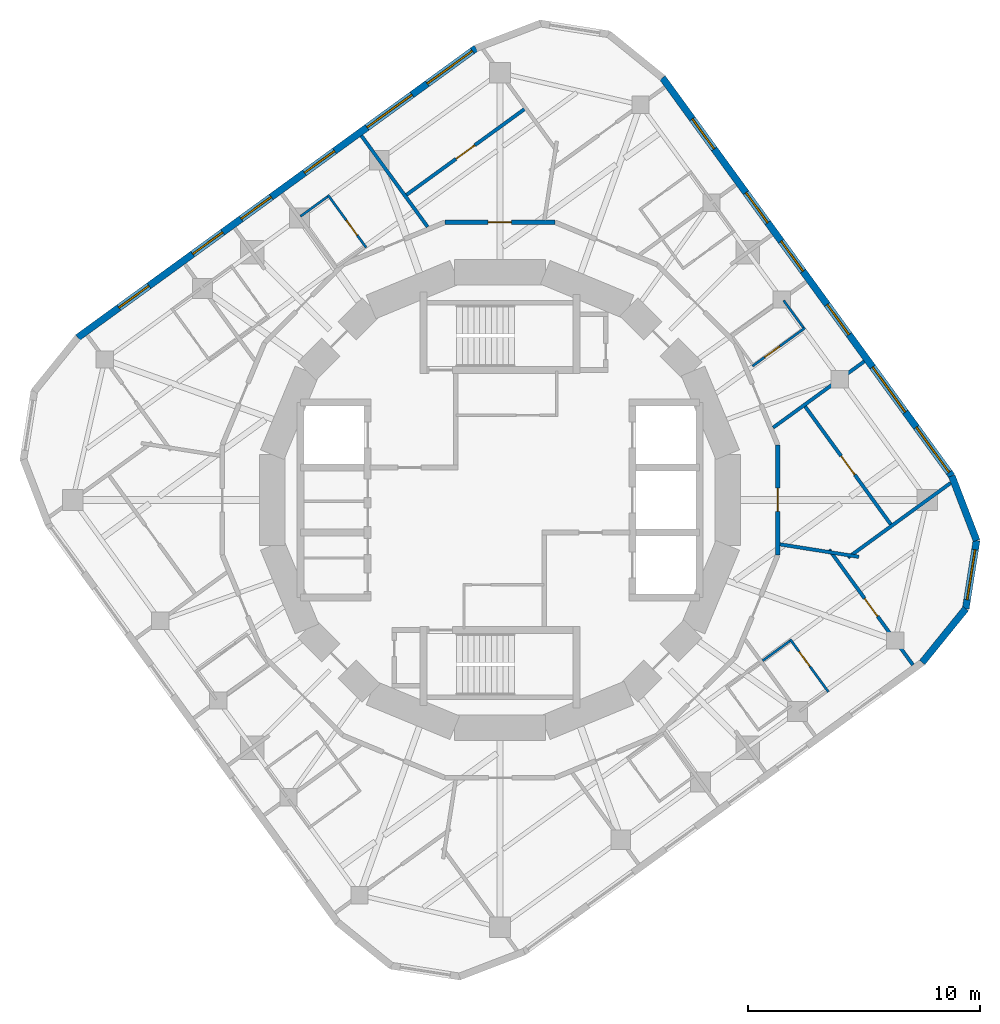
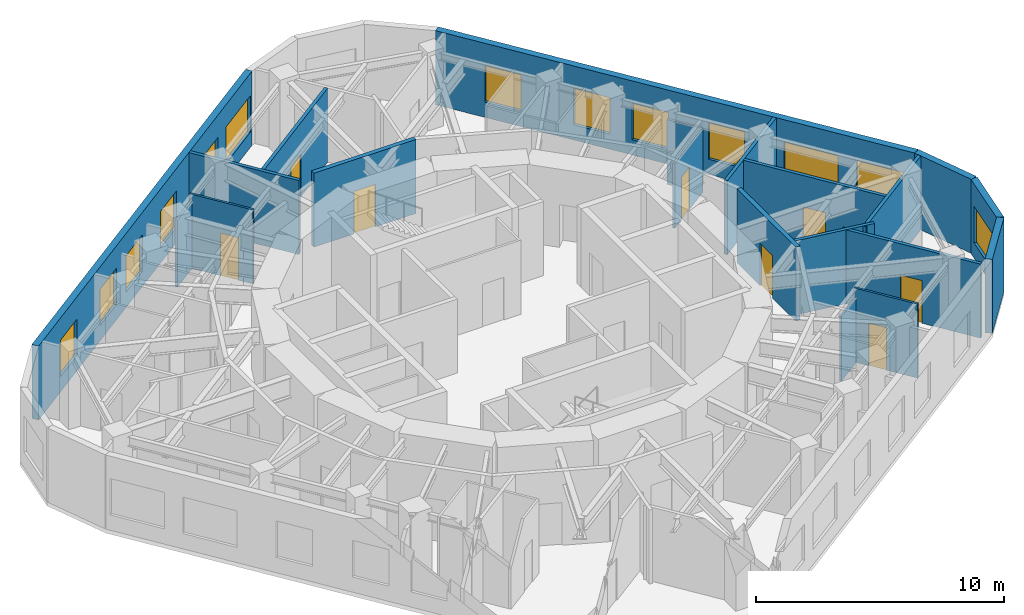
# One storey, part 7 of 9: 20 walls, 13 windows, 8 doors, 21 openings.
"""IFC4 building model written with IfcOpenShell, lengths in metres."""

from ifc_helpers import new_model, si_unit, direction, frame, frame_2d, origin, place, context, subcontext, project, spatial, rectangle, extrude, material, layer, layer_set, type_object, element, fill, save


model = new_model("IFC4")

# Units and contexts
model_context = context("Model", 3, precision=1e-05, world=origin(), true_north=direction((0.0, 1.0)))
body_context = subcontext(model_context, "Body", "Model", "MODEL_VIEW")
ifc_project = project(units=[si_unit("LENGTHUNIT", "METRE"), si_unit("AREAUNIT", "SQUARE_METRE"), si_unit("VOLUMEUNIT", "CUBIC_METRE"), si_unit("PLANEANGLEUNIT", "RADIAN"), si_unit("MASSUNIT", "GRAM", prefix="KILO")], contexts=[model_context])

# Site, building, storey
site_placement = place(None, origin())
site = spatial("IfcSite", under=ifc_project, at=site_placement, CompositionType="ELEMENT")
building_placement = place(site_placement, origin())
building = spatial("IfcBuilding", under=site, at=building_placement, Name="Nakasero Lantern House", CompositionType="ELEMENT")
storey_placement = place(building_placement, frame((0.0, 0.0, 290.699951171875)))
storey = spatial("IfcBuildingStorey", under=building, at=storey_placement, Name="L71", CompositionType="ELEMENT", Elevation=290.699951171875)

# Wall, opening, door
ifc_material_1 = material(Name="Blockwork", Category="masonry")
ifc_layer_1 = layer(ifc_material_1, 0.199951171875)
ifc_layer_set_1 = layer_set([ifc_layer_1], Name="Corridor wall 200")
wall_type_1 = type_object("IfcWallType", Name="Corridor wall 200", PredefinedType="PARTITIONING", material=ifc_layer_set_1)
wall_1_placement = place(storey_placement, frame((11.957763671875, 2.378662109375, 0.0), z_axis=(0.0, 0.0, 1.0), x_axis=(0.0, -1.0, 0.0)))
wall_1 = element("IfcWall", 1, at=wall_1_placement, inside=storey, type_object=wall_type_1, Name="Corridor wall L71 RC00a", PredefinedType="PARTITIONING", context=body_context, shape_type="SweptSolid", body=[
    extrude(rectangle(XDim=4.75732421875, YDim=0.199951171875, at=frame_2d((2.378662109375, 0.0))), origin(), (0.0, 0.0, 1.0), 3.650146484375),
])
opening_1_placement = place(wall_1_placement, frame((1.8701171875, 0.0, 0.0)))
opening_1 = element("IfcOpeningElement", 2, at=opening_1_placement, cuts=wall_1, Name="Opening D03", PredefinedType="OPENING", context=body_context, shape_type="SweptSolid", body=[
    extrude(rectangle(XDim=1.0, YDim=2.10009765625, at=frame_2d((0.5, 1.050048828125))), frame((0.0, 0.119873046875, 0.0), z_axis=(0.0, -1.0, 0.0), x_axis=(1.0, 0.0, 0.0)), (0.0, 0.0, 1.0), 0.239990234375),
])
ifc_material_2 = material(Name="Timber C24", Category="wood")
door_type_1 = type_object("IfcDoorType", Name="Lounge door FD30S 1000", OperationType="SINGLE_SWING_LEFT", PredefinedType="DOOR", material=ifc_material_2)
door_1_placement = place(opening_1_placement, origin())
door_1 = element("IfcDoor", 3, at=door_1_placement, inside=storey, type_object=door_type_1, Name="Door L71 DK0", OperationType="SINGLE_SWING_LEFT", OverallHeight=2.10009765625, OverallWidth=1.0, PredefinedType="DOOR", context=body_context, shape_type="SweptSolid", body=[
    extrude(rectangle(XDim=1.0, YDim=2.10009765625, at=frame_2d((0.5, 1.050048828125))), frame((0.0, 0.02490234375, 0.0), z_axis=(0.0, -1.0, 0.0), x_axis=(1.0, 0.0, 0.0)), (0.0, 0.0, 1.0), 0.050048828125),
])
fill(opening_1, door_1)

wall_2_placement = place(storey_placement, frame((-2.378662109375, 11.957763671875, 0.0), z_axis=(0.0, 0.0, 1.0), x_axis=(1.0, 0.0, 0.0)))
wall_2 = element("IfcWall", 4, at=wall_2_placement, inside=storey, type_object=wall_type_1, Name="Corridor wall L71 RC12a", PredefinedType="PARTITIONING", context=body_context, shape_type="SweptSolid", body=[
    extrude(rectangle(XDim=4.75732421875, YDim=0.199951171875, at=frame_2d((2.378662109375, 0.0))), origin(), (0.0, 0.0, 1.0), 3.650146484375),
])
opening_2_placement = place(wall_2_placement, frame((1.8701171875, 0.0, 0.0)))
opening_2 = element("IfcOpeningElement", 5, at=opening_2_placement, cuts=wall_2, Name="Opening D03", PredefinedType="OPENING", context=body_context, shape_type="SweptSolid", body=[
    extrude(rectangle(XDim=1.0, YDim=2.10009765625, at=frame_2d((0.5, 1.050048828125))), frame((0.0, 0.119873046875, 0.0), z_axis=(0.0, -1.0, 0.0), x_axis=(1.0, 0.0, 0.0)), (0.0, 0.0, 1.0), 0.239990234375),
])
door_2_placement = place(opening_2_placement, origin())
door_2 = element("IfcDoor", 6, at=door_2_placement, inside=storey, type_object=door_type_1, Name="Door L71 DK1", OperationType="SINGLE_SWING_LEFT", OverallHeight=2.10009765625, OverallWidth=1.0, PredefinedType="DOOR", context=body_context, shape_type="SweptSolid", body=[
    extrude(rectangle(XDim=1.0, YDim=2.10009765625, at=frame_2d((0.5, 1.050048828125))), frame((0.0, 0.02490234375, 0.0), z_axis=(0.0, -1.0, 0.0), x_axis=(1.0, 0.0, 0.0)), (0.0, 0.0, 1.0), 0.050048828125),
])
fill(opening_2, door_2)

ifc_material_3 = material(Name="Blockwork", Category="masonry")
ifc_layer_2 = layer(ifc_material_3, 0.10009765625)
ifc_layer_set_2 = layer_set([ifc_layer_2], Name="En-suite wall 100")
wall_type_2 = type_object("IfcWallType", Name="En-suite wall 100", PredefinedType="PARTITIONING", material=ifc_layer_set_2)
wall_3_placement = place(storey_placement, frame((10.872314453125, 5.76513671875, 0.0), z_axis=(0.0, 0.0, 1.0), x_axis=(0.809041377956, 0.587751689708, 0.0)))
wall_3 = element("IfcWall", 7, at=wall_3_placement, inside=storey, type_object=wall_type_2, Name="En-suite wall L71 ES0-03", PredefinedType="PARTITIONING", context=body_context, shape_type="SweptSolid", body=[
    extrude(rectangle(XDim=2.800048828125, YDim=0.10009765625, at=frame_2d((1.39990234375, 0.0))), origin(), (0.0, 0.0, 1.0), 3.18994140625),
])
opening_3_placement = place(wall_3_placement, frame((0.64990234375, 0.0, 0.0)))
opening_3 = element("IfcOpeningElement", 8, at=opening_3_placement, cuts=wall_3, Name="Opening D02", PredefinedType="OPENING", context=body_context, shape_type="SweptSolid", body=[
    extrude(rectangle(XDim=0.800048828125, YDim=2.10009765625, at=frame_2d((0.39990234375, 1.050048828125))), frame((0.0, 0.070068359375, 0.0), z_axis=(0.0, -1.0, 0.0), x_axis=(1.0, 0.0, 0.0)), (0.0, 0.0, 1.0), 0.14013671875),
])
ifc_material_4 = material(Name="Timber C24", Category="wood")
door_type_2 = type_object("IfcDoorType", Name="En-suite door 800", OperationType="SINGLE_SWING_RIGHT", PredefinedType="DOOR", material=ifc_material_4)
door_3_placement = place(opening_3_placement, origin())
door_3 = element("IfcDoor", 9, at=door_3_placement, inside=storey, type_object=door_type_2, Name="Door L71 DE0-03", OperationType="SINGLE_SWING_LEFT", OverallHeight=2.10009765625, OverallWidth=0.800048828125, PredefinedType="DOOR", context=body_context, shape_type="SweptSolid", body=[
    extrude(rectangle(XDim=0.800048828125, YDim=2.10009765625, at=frame_2d((0.39990234375, 1.050048828125))), frame((0.0, 0.02490234375, 0.0), z_axis=(0.0, -1.0, 0.0), x_axis=(1.0, 0.0, 0.0)), (0.0, 0.0, 1.0), 0.050048828125),
])
fill(opening_3, door_3)

# Wall
wall_4_placement = place(storey_placement, frame((13.06787109375, 7.421875, 0.0), z_axis=(0.0, 0.0, 1.0), x_axis=(-0.587781191743, 0.809019944521, 0.0)))
element("IfcWall", 10, at=wall_4_placement, inside=storey, type_object=wall_type_2, Name="En-suite wall L71 EE0-03", PredefinedType="PARTITIONING", context=body_context, shape_type="SweptSolid", body=[
    extrude(rectangle(XDim=1.449951171875, YDim=0.10009765625, at=frame_2d((0.72509765625, 0.0))), origin(), (0.0, 0.0, 1.0), 3.196533203125),
])

# Wall, opening, door
wall_5_placement = place(storey_placement, frame((-5.76513671875, 10.872314453125, 0.0), z_axis=(0.0, 0.0, 1.0), x_axis=(-0.587751689708, 0.809041377956, 0.0)))
wall_5 = element("IfcWall", 11, at=wall_5_placement, inside=storey, type_object=wall_type_2, Name="En-suite wall L71 ES1-03", PredefinedType="PARTITIONING", context=body_context, shape_type="SweptSolid", body=[
    extrude(rectangle(XDim=2.800048828125, YDim=0.10009765625, at=frame_2d((1.39990234375, 0.0))), origin(), (0.0, 0.0, 1.0), 3.650146484375),
])
opening_4_placement = place(wall_5_placement, frame((0.64990234375, 0.0, 0.0)))
opening_4 = element("IfcOpeningElement", 12, at=opening_4_placement, cuts=wall_5, Name="Opening D02", PredefinedType="OPENING", context=body_context, shape_type="SweptSolid", body=[
    extrude(rectangle(XDim=0.800048828125, YDim=2.10009765625, at=frame_2d((0.39990234375, 1.050048828125))), frame((0.0, 0.070068359375, 0.0), z_axis=(0.0, -1.0, 0.0), x_axis=(1.0, 0.0, 0.0)), (0.0, 0.0, 1.0), 0.14013671875),
])
door_4_placement = place(opening_4_placement, origin())
door_4 = element("IfcDoor", 13, at=door_4_placement, inside=storey, type_object=door_type_2, Name="Door L71 DE1-03", OperationType="SINGLE_SWING_LEFT", OverallHeight=2.10009765625, OverallWidth=0.800048828125, PredefinedType="DOOR", context=body_context, shape_type="SweptSolid", body=[
    extrude(rectangle(XDim=0.800048828125, YDim=2.10009765625, at=frame_2d((0.39990234375, 1.050048828125))), frame((0.0, 0.02490234375, 0.0), z_axis=(0.0, -1.0, 0.0), x_axis=(1.0, 0.0, 0.0)), (0.0, 0.0, 1.0), 0.050048828125),
])
fill(opening_4, door_4)

# Wall
wall_6_placement = place(storey_placement, frame((-7.421875, 13.06787109375, 0.0), z_axis=(0.0, 0.0, 1.0), x_axis=(-0.809019944521, -0.587781191743, 0.0)))
element("IfcWall", 14, at=wall_6_placement, inside=storey, type_object=wall_type_2, Name="En-suite wall L71 EE1-03", PredefinedType="PARTITIONING", context=body_context, shape_type="SweptSolid", body=[
    extrude(rectangle(XDim=1.449951171875, YDim=0.10009765625, at=frame_2d((0.72509765625, 0.0))), origin(), (0.0, 0.0, 1.0), 3.295166015625),
])

# Wall, opening, door
wall_7_placement = place(storey_placement, frame((12.498046875, -5.999755859375, 0.0), z_axis=(0.0, 0.0, 1.0), x_axis=(0.587793152327, -0.809011254605, 0.0)))
wall_7 = element("IfcWall", 15, at=wall_7_placement, inside=storey, type_object=wall_type_2, Name="En-suite wall L71 ES3-06", PredefinedType="PARTITIONING", context=body_context, shape_type="SweptSolid", body=[
    extrude(rectangle(XDim=2.7998046875, YDim=0.10009765625, at=frame_2d((1.39990234375, 0.0))), origin(), (0.0, 0.0, 1.0), 3.650146484375),
])
opening_5_placement = place(wall_7_placement, frame((0.64990234375, 0.0, 0.0)))
opening_5 = element("IfcOpeningElement", 16, at=opening_5_placement, cuts=wall_7, Name="Opening D02", PredefinedType="OPENING", context=body_context, shape_type="SweptSolid", body=[
    extrude(rectangle(XDim=0.800048828125, YDim=2.10009765625, at=frame_2d((0.39990234375, 1.050048828125))), frame((0.0, 0.070068359375, 0.0), z_axis=(0.0, -1.0, 0.0), x_axis=(1.0, 0.0, 0.0)), (0.0, 0.0, 1.0), 0.14013671875),
])
door_5_placement = place(opening_5_placement, origin())
door_5 = element("IfcDoor", 17, at=door_5_placement, inside=storey, type_object=door_type_2, Name="Door L71 DE3-06", OperationType="SINGLE_SWING_LEFT", OverallHeight=2.10009765625, OverallWidth=0.800048828125, PredefinedType="DOOR", context=body_context, shape_type="SweptSolid", body=[
    extrude(rectangle(XDim=0.800048828125, YDim=2.10009765625, at=frame_2d((0.39990234375, 1.050048828125))), frame((0.0, 0.02490234375, 0.0), z_axis=(0.0, -1.0, 0.0), x_axis=(1.0, 0.0, 0.0)), (0.0, 0.0, 1.0), 0.050048828125),
])
fill(opening_5, door_5)

# Wall
wall_8_placement = place(storey_placement, frame((11.313720703125, -6.921875, 0.0), z_axis=(0.0, 0.0, 1.0), x_axis=(0.809019944521, 0.587781191743, 0.0)))
element("IfcWall", 18, at=wall_8_placement, inside=storey, type_object=wall_type_2, Name="En-suite wall L71 EI3-06", PredefinedType="PARTITIONING", context=body_context, shape_type="SweptSolid", body=[
    extrude(rectangle(XDim=1.449951171875, YDim=0.10009765625, at=frame_2d((0.72509765625, 0.0))), origin(), (0.0, 0.0, 1.0), 3.18994140625),
])

# Wall, openings, windows
ifc_material_5 = material(Name="Aluminium rainscreen on blockwork", Category="masonry")
ifc_layer_3 = layer(ifc_material_5, 0.300048828125)
ifc_layer_set_3 = layer_set([ifc_layer_3], Name="Facade wall 300")
wall_type_3 = type_object("IfcWallType", Name="Facade wall 300", PredefinedType="SOLIDWALL", material=ifc_layer_set_3)
wall_9_placement = place(storey_placement, frame((19.4580078125, 1.03466796875, 0.0), z_axis=(0.0, 0.0, 1.0), x_axis=(-0.587790233451, 0.809013375328, 0.0)))
wall_9 = element("IfcWall", 19, at=wall_9_placement, inside=storey, type_object=wall_type_3, Name="Facade wall L71 FW0S", PredefinedType="SOLIDWALL", context=body_context, shape_type="SweptSolid", body=[
    extrude(rectangle(XDim=21.199951171875, YDim=0.300048828125, at=frame_2d((10.60009765625, 0.0))), origin(), (0.0, 0.0, 1.0), 3.650146484375),
])
opening_6_placement = place(wall_9_placement, frame((7.52783203125, 0.0, 0.75)))
opening_6 = element("IfcOpeningElement", 20, at=opening_6_placement, cuts=wall_9, Name="Opening W01", PredefinedType="OPENING", context=body_context, shape_type="SweptSolid", body=[
    extrude(rectangle(XDim=1.60009765625, YDim=1.800048828125, at=frame_2d((0.800048828125, 0.89990234375))), frame((0.0, 0.169921875, 0.0), z_axis=(0.0, -1.0, 0.0), x_axis=(1.0, 0.0, 0.0)), (0.0, 0.0, 1.0), 0.340087890625),
])
opening_7_placement = place(wall_9_placement, frame((10.904052734375, 0.0, 0.75)))
opening_7 = element("IfcOpeningElement", 21, at=opening_7_placement, cuts=wall_9, Name="Opening W01", PredefinedType="OPENING", context=body_context, shape_type="SweptSolid", body=[
    extrude(rectangle(XDim=1.60009765625, YDim=1.800048828125, at=frame_2d((0.800048828125, 0.89990234375))), frame((0.0, 0.169921875, 0.0), z_axis=(0.0, -1.0, 0.0), x_axis=(1.0, 0.0, 0.0)), (0.0, 0.0, 1.0), 0.340087890625),
])
opening_8_placement = place(wall_9_placement, frame((13.484619140625, 0.0, 0.75)))
opening_8 = element("IfcOpeningElement", 22, at=opening_8_placement, cuts=wall_9, Name="Opening W01", PredefinedType="OPENING", context=body_context, shape_type="SweptSolid", body=[
    extrude(rectangle(XDim=1.60009765625, YDim=1.800048828125, at=frame_2d((0.800048828125, 0.89990234375))), frame((0.0, 0.169921875, 0.0), z_axis=(0.0, -1.0, 0.0), x_axis=(1.0, 0.0, 0.0)), (0.0, 0.0, 1.0), 0.340087890625),
])
opening_9_placement = place(wall_9_placement, frame((17.410888671875, 0.0, 0.75)))
opening_9 = element("IfcOpeningElement", 23, at=opening_9_placement, cuts=wall_9, Name="Opening W01", PredefinedType="OPENING", context=body_context, shape_type="SweptSolid", body=[
    extrude(rectangle(XDim=1.60009765625, YDim=1.800048828125, at=frame_2d((0.800048828125, 0.89990234375))), frame((0.0, 0.169921875, 0.0), z_axis=(0.0, -1.0, 0.0), x_axis=(1.0, 0.0, 0.0)), (0.0, 0.0, 1.0), 0.340087890625),
])
opening_10_placement = place(wall_9_placement, frame((0.1904296875, 0.0, 0.75)))
opening_10 = element("IfcOpeningElement", 24, at=opening_10_placement, cuts=wall_9, Name="Opening W03", PredefinedType="OPENING", context=body_context, shape_type="SweptSolid", body=[
    extrude(rectangle(XDim=2.39990234375, YDim=1.800048828125, at=frame_2d((1.199951171875, 0.89990234375))), frame((0.0, 0.169921875, 0.0), z_axis=(0.0, -1.0, 0.0), x_axis=(1.0, 0.0, 0.0)), (0.0, 0.0, 1.0), 0.340087890625),
])
opening_11_placement = place(wall_9_placement, frame((3.401611328125, 0.0, 0.75)))
opening_11 = element("IfcOpeningElement", 25, at=opening_11_placement, cuts=wall_9, Name="Opening W03", PredefinedType="OPENING", context=body_context, shape_type="SweptSolid", body=[
    extrude(rectangle(XDim=2.39990234375, YDim=1.800048828125, at=frame_2d((1.199951171875, 0.89990234375))), frame((0.0, 0.169921875, 0.0), z_axis=(0.0, -1.0, 0.0), x_axis=(1.0, 0.0, 0.0)), (0.0, 0.0, 1.0), 0.340087890625),
])
ifc_material_6 = material(Name="Aluminium 6063-T6 and glass", Category="aluminium")
window_type_1 = type_object("IfcWindowType", Name="Bedroom window 1600x1800", PartitioningType="SINGLE_PANEL", PredefinedType="WINDOW", material=ifc_material_6)
window_1_placement = place(opening_6_placement, origin())
window_1 = element("IfcWindow", 26, at=window_1_placement, inside=storey, type_object=window_type_1, Name="Window L71 WN0-03", OverallHeight=1.800048828125, OverallWidth=1.60009765625, PartitioningType="SINGLE_PANEL", PredefinedType="WINDOW", context=body_context, shape_type="SweptSolid", body=[
    extrude(rectangle(XDim=1.60009765625, YDim=1.800048828125, at=frame_2d((0.800048828125, 0.89990234375))), frame((0.0, 0.030029296875, 0.0), z_axis=(0.0, -1.0, 0.0), x_axis=(1.0, 0.0, 0.0)), (0.0, 0.0, 1.0), 0.06005859375),
])
fill(opening_6, window_1)
window_2_placement = place(opening_7_placement, origin())
window_2 = element("IfcWindow", 27, at=window_2_placement, inside=storey, type_object=window_type_1, Name="Window L71 WN0-04", OverallHeight=1.800048828125, OverallWidth=1.60009765625, PartitioningType="SINGLE_PANEL", PredefinedType="WINDOW", context=body_context, shape_type="SweptSolid", body=[
    extrude(rectangle(XDim=1.60009765625, YDim=1.800048828125, at=frame_2d((0.800048828125, 0.89990234375))), frame((0.0, 0.030029296875, 0.0), z_axis=(0.0, -1.0, 0.0), x_axis=(1.0, 0.0, 0.0)), (0.0, 0.0, 1.0), 0.06005859375),
])
fill(opening_7, window_2)
window_3_placement = place(opening_8_placement, origin())
window_3 = element("IfcWindow", 28, at=window_3_placement, inside=storey, type_object=window_type_1, Name="Window L71 WN0-05", OverallHeight=1.800048828125, OverallWidth=1.60009765625, PartitioningType="SINGLE_PANEL", PredefinedType="WINDOW", context=body_context, shape_type="SweptSolid", body=[
    extrude(rectangle(XDim=1.60009765625, YDim=1.800048828125, at=frame_2d((0.800048828125, 0.89990234375))), frame((0.0, 0.030029296875, 0.0), z_axis=(0.0, -1.0, 0.0), x_axis=(1.0, 0.0, 0.0)), (0.0, 0.0, 1.0), 0.06005859375),
])
fill(opening_8, window_3)
window_4_placement = place(opening_9_placement, origin())
window_4 = element("IfcWindow", 29, at=window_4_placement, inside=storey, type_object=window_type_1, Name="Window L71 WN0-06", OverallHeight=1.800048828125, OverallWidth=1.60009765625, PartitioningType="SINGLE_PANEL", PredefinedType="WINDOW", context=body_context, shape_type="SweptSolid", body=[
    extrude(rectangle(XDim=1.60009765625, YDim=1.800048828125, at=frame_2d((0.800048828125, 0.89990234375))), frame((0.0, 0.030029296875, 0.0), z_axis=(0.0, -1.0, 0.0), x_axis=(1.0, 0.0, 0.0)), (0.0, 0.0, 1.0), 0.06005859375),
])
fill(opening_9, window_4)
ifc_material_7 = material(Name="Aluminium 6063-T6 and glass", Category="aluminium")
window_type_2 = type_object("IfcWindowType", Name="Lounge window 2400x1800", PartitioningType="SINGLE_PANEL", PredefinedType="WINDOW", material=ifc_material_7)
window_5_placement = place(opening_10_placement, origin())
window_5 = element("IfcWindow", 30, at=window_5_placement, inside=storey, type_object=window_type_2, Name="Window L71 WK0", OverallHeight=1.800048828125, OverallWidth=2.39990234375, PartitioningType="SINGLE_PANEL", PredefinedType="WINDOW", context=body_context, shape_type="SweptSolid", body=[
    extrude(rectangle(XDim=2.39990234375, YDim=1.800048828125, at=frame_2d((1.199951171875, 0.89990234375))), frame((0.0, 0.030029296875, 0.0), z_axis=(0.0, -1.0, 0.0), x_axis=(1.0, 0.0, 0.0)), (0.0, 0.0, 1.0), 0.06005859375),
])
fill(opening_10, window_5)
window_6_placement = place(opening_11_placement, origin())
window_6 = element("IfcWindow", 31, at=window_6_placement, inside=storey, type_object=window_type_2, Name="Window L71 WL0", OverallHeight=1.800048828125, OverallWidth=2.39990234375, PartitioningType="SINGLE_PANEL", PredefinedType="WINDOW", context=body_context, shape_type="SweptSolid", body=[
    extrude(rectangle(XDim=2.39990234375, YDim=1.800048828125, at=frame_2d((1.199951171875, 0.89990234375))), frame((0.0, 0.030029296875, 0.0), z_axis=(0.0, -1.0, 0.0), x_axis=(1.0, 0.0, 0.0)), (0.0, 0.0, 1.0), 0.06005859375),
])
fill(opening_11, window_6)

wall_10_placement = place(storey_placement, frame((-1.03466796875, 19.4580078125, 0.0), z_axis=(0.0, 0.0, 1.0), x_axis=(-0.809013375328, -0.587790233451, 0.0)))
wall_10 = element("IfcWall", 32, at=wall_10_placement, inside=storey, type_object=wall_type_3, Name="Facade wall L71 FW1S", PredefinedType="SOLIDWALL", context=body_context, shape_type="SweptSolid", body=[
    extrude(rectangle(XDim=21.199951171875, YDim=0.300048828125, at=frame_2d((10.60009765625, 0.0))), origin(), (0.0, 0.0, 1.0), 3.650146484375),
])
opening_12_placement = place(wall_10_placement, frame((7.52783203125, 0.0, 0.75)))
opening_12 = element("IfcOpeningElement", 33, at=opening_12_placement, cuts=wall_10, Name="Opening W01", PredefinedType="OPENING", context=body_context, shape_type="SweptSolid", body=[
    extrude(rectangle(XDim=1.60009765625, YDim=1.800048828125, at=frame_2d((0.800048828125, 0.89990234375))), frame((0.0, 0.169921875, 0.0), z_axis=(0.0, -1.0, 0.0), x_axis=(1.0, 0.0, 0.0)), (0.0, 0.0, 1.0), 0.340087890625),
])
opening_13_placement = place(wall_10_placement, frame((10.904052734375, 0.0, 0.75)))
opening_13 = element("IfcOpeningElement", 34, at=opening_13_placement, cuts=wall_10, Name="Opening W01", PredefinedType="OPENING", context=body_context, shape_type="SweptSolid", body=[
    extrude(rectangle(XDim=1.60009765625, YDim=1.800048828125, at=frame_2d((0.800048828125, 0.89990234375))), frame((0.0, 0.169921875, 0.0), z_axis=(0.0, -1.0, 0.0), x_axis=(1.0, 0.0, 0.0)), (0.0, 0.0, 1.0), 0.340087890625),
])
opening_14_placement = place(wall_10_placement, frame((13.484619140625, 0.0, 0.75)))
opening_14 = element("IfcOpeningElement", 35, at=opening_14_placement, cuts=wall_10, Name="Opening W01", PredefinedType="OPENING", context=body_context, shape_type="SweptSolid", body=[
    extrude(rectangle(XDim=1.60009765625, YDim=1.800048828125, at=frame_2d((0.800048828125, 0.89990234375))), frame((0.0, 0.169921875, 0.0), z_axis=(0.0, -1.0, 0.0), x_axis=(1.0, 0.0, 0.0)), (0.0, 0.0, 1.0), 0.340087890625),
])
opening_15_placement = place(wall_10_placement, frame((17.410888671875, 0.0, 0.75)))
opening_15 = element("IfcOpeningElement", 36, at=opening_15_placement, cuts=wall_10, Name="Opening W01", PredefinedType="OPENING", context=body_context, shape_type="SweptSolid", body=[
    extrude(rectangle(XDim=1.60009765625, YDim=1.800048828125, at=frame_2d((0.800048828125, 0.89990234375))), frame((0.0, 0.169921875, 0.0), z_axis=(0.0, -1.0, 0.0), x_axis=(1.0, 0.0, 0.0)), (0.0, 0.0, 1.0), 0.340087890625),
])
opening_16_placement = place(wall_10_placement, frame((0.1904296875, 0.0, 0.75)))
opening_16 = element("IfcOpeningElement", 37, at=opening_16_placement, cuts=wall_10, Name="Opening W03", PredefinedType="OPENING", context=body_context, shape_type="SweptSolid", body=[
    extrude(rectangle(XDim=2.39990234375, YDim=1.800048828125, at=frame_2d((1.199951171875, 0.89990234375))), frame((0.0, 0.169921875, 0.0), z_axis=(0.0, -1.0, 0.0), x_axis=(1.0, 0.0, 0.0)), (0.0, 0.0, 1.0), 0.340087890625),
])
opening_17_placement = place(wall_10_placement, frame((3.401611328125, 0.0, 0.75)))
opening_17 = element("IfcOpeningElement", 38, at=opening_17_placement, cuts=wall_10, Name="Opening W03", PredefinedType="OPENING", context=body_context, shape_type="SweptSolid", body=[
    extrude(rectangle(XDim=2.39990234375, YDim=1.800048828125, at=frame_2d((1.199951171875, 0.89990234375))), frame((0.0, 0.169921875, 0.0), z_axis=(0.0, -1.0, 0.0), x_axis=(1.0, 0.0, 0.0)), (0.0, 0.0, 1.0), 0.340087890625),
])
window_7_placement = place(opening_12_placement, origin())
window_7 = element("IfcWindow", 39, at=window_7_placement, inside=storey, type_object=window_type_1, Name="Window L71 WN1-03", OverallHeight=1.800048828125, OverallWidth=1.60009765625, PartitioningType="SINGLE_PANEL", PredefinedType="WINDOW", context=body_context, shape_type="SweptSolid", body=[
    extrude(rectangle(XDim=1.60009765625, YDim=1.800048828125, at=frame_2d((0.800048828125, 0.89990234375))), frame((0.0, 0.030029296875, 0.0), z_axis=(0.0, -1.0, 0.0), x_axis=(1.0, 0.0, 0.0)), (0.0, 0.0, 1.0), 0.06005859375),
])
fill(opening_12, window_7)
window_8_placement = place(opening_13_placement, origin())
window_8 = element("IfcWindow", 40, at=window_8_placement, inside=storey, type_object=window_type_1, Name="Window L71 WN1-04", OverallHeight=1.800048828125, OverallWidth=1.60009765625, PartitioningType="SINGLE_PANEL", PredefinedType="WINDOW", context=body_context, shape_type="SweptSolid", body=[
    extrude(rectangle(XDim=1.60009765625, YDim=1.800048828125, at=frame_2d((0.800048828125, 0.89990234375))), frame((0.0, 0.030029296875, 0.0), z_axis=(0.0, -1.0, 0.0), x_axis=(1.0, 0.0, 0.0)), (0.0, 0.0, 1.0), 0.06005859375),
])
fill(opening_13, window_8)
window_9_placement = place(opening_14_placement, origin())
window_9 = element("IfcWindow", 41, at=window_9_placement, inside=storey, type_object=window_type_1, Name="Window L71 WN1-05", OverallHeight=1.800048828125, OverallWidth=1.60009765625, PartitioningType="SINGLE_PANEL", PredefinedType="WINDOW", context=body_context, shape_type="SweptSolid", body=[
    extrude(rectangle(XDim=1.60009765625, YDim=1.800048828125, at=frame_2d((0.800048828125, 0.89990234375))), frame((0.0, 0.030029296875, 0.0), z_axis=(0.0, -1.0, 0.0), x_axis=(1.0, 0.0, 0.0)), (0.0, 0.0, 1.0), 0.06005859375),
])
fill(opening_14, window_9)
window_10_placement = place(opening_15_placement, origin())
window_10 = element("IfcWindow", 42, at=window_10_placement, inside=storey, type_object=window_type_1, Name="Window L71 WN1-06", OverallHeight=1.800048828125, OverallWidth=1.60009765625, PartitioningType="SINGLE_PANEL", PredefinedType="WINDOW", context=body_context, shape_type="SweptSolid", body=[
    extrude(rectangle(XDim=1.60009765625, YDim=1.800048828125, at=frame_2d((0.800048828125, 0.89990234375))), frame((0.0, 0.030029296875, 0.0), z_axis=(0.0, -1.0, 0.0), x_axis=(1.0, 0.0, 0.0)), (0.0, 0.0, 1.0), 0.06005859375),
])
fill(opening_15, window_10)
window_11_placement = place(opening_16_placement, origin())
window_11 = element("IfcWindow", 43, at=window_11_placement, inside=storey, type_object=window_type_2, Name="Window L71 WK1", OverallHeight=1.800048828125, OverallWidth=2.39990234375, PartitioningType="SINGLE_PANEL", PredefinedType="WINDOW", context=body_context, shape_type="SweptSolid", body=[
    extrude(rectangle(XDim=2.39990234375, YDim=1.800048828125, at=frame_2d((1.199951171875, 0.89990234375))), frame((0.0, 0.030029296875, 0.0), z_axis=(0.0, -1.0, 0.0), x_axis=(1.0, 0.0, 0.0)), (0.0, 0.0, 1.0), 0.06005859375),
])
fill(opening_16, window_11)
window_12_placement = place(opening_17_placement, origin())
window_12 = element("IfcWindow", 44, at=window_12_placement, inside=storey, type_object=window_type_2, Name="Window L71 WL1", OverallHeight=1.800048828125, OverallWidth=2.39990234375, PartitioningType="SINGLE_PANEL", PredefinedType="WINDOW", context=body_context, shape_type="SweptSolid", body=[
    extrude(rectangle(XDim=2.39990234375, YDim=1.800048828125, at=frame_2d((1.199951171875, 0.89990234375))), frame((0.0, 0.030029296875, 0.0), z_axis=(0.0, -1.0, 0.0), x_axis=(1.0, 0.0, 0.0)), (0.0, 0.0, 1.0), 0.06005859375),
])
fill(opening_17, window_12)

# Wall
wall_11_placement = place(storey_placement, frame((18.185791015625, -6.996826171875, 0.0), z_axis=(0.0, 0.0, 1.0), x_axis=(0.629375183362, 0.777101588319, 0.0)))
element("IfcWall", 45, at=wall_11_placement, inside=storey, type_object=wall_type_3, Name="Facade wall L71 FW3C1", PredefinedType="SOLIDWALL", context=body_context, shape_type="SweptSolid", body=[
    extrude(rectangle(XDim=2.976318359375, YDim=0.300048828125, at=frame_2d((1.48828125, 0.0))), origin(), (0.0, 0.0, 1.0), 3.650146484375),
])

# Wall, opening, window
wall_12_placement = place(storey_placement, frame((20.05908203125, -4.683837890625, 0.0), z_axis=(0.0, 0.0, 1.0), x_axis=(0.156413227021, 0.987691704133, 0.0)))
wall_12 = element("IfcWall", 46, at=wall_12_placement, inside=storey, type_object=wall_type_3, Name="Facade wall L71 FW3C2", PredefinedType="SOLIDWALL", context=body_context, shape_type="SweptSolid", body=[
    extrude(rectangle(XDim=2.9765625, YDim=0.300048828125, at=frame_2d((1.48828125, 0.0))), origin(), (0.0, 0.0, 1.0), 3.650146484375),
])
opening_18_placement = place(wall_12_placement, frame((0.39990234375, 0.0, 0.75)))
opening_18 = element("IfcOpeningElement", 47, at=opening_18_placement, cuts=wall_12, Name="Opening W221", PredefinedType="OPENING", context=body_context, shape_type="SweptSolid", body=[
    extrude(rectangle(XDim=2.176025390625, YDim=1.800048828125, at=frame_2d((1.087890625, 0.89990234375))), frame((0.0, 0.169921875, 0.0), z_axis=(0.0, -1.0, 0.0), x_axis=(1.0, 0.0, 0.0)), (0.0, 0.0, 1.0), 0.340087890625),
])
ifc_material_8 = material(Name="Aluminium 6063-T6 and glass", Category="aluminium")
window_type_3 = type_object("IfcWindowType", Name="Corner window 2176x1800", PartitioningType="SINGLE_PANEL", PredefinedType="WINDOW", material=ifc_material_8)
window_13_placement = place(opening_18_placement, origin())
window_13 = element("IfcWindow", 48, at=window_13_placement, inside=storey, type_object=window_type_3, Name="Window L71 WC3", OverallHeight=1.800048828125, OverallWidth=2.176025390625, PartitioningType="SINGLE_PANEL", PredefinedType="WINDOW", context=body_context, shape_type="SweptSolid", body=[
    extrude(rectangle(XDim=2.176025390625, YDim=1.800048828125, at=frame_2d((1.087890625, 0.89990234375))), frame((0.0, 0.030029296875, 0.0), z_axis=(0.0, -1.0, 0.0), x_axis=(1.0, 0.0, 0.0)), (0.0, 0.0, 1.0), 0.06005859375),
])
fill(opening_18, window_13)

# Walls
wall_13_placement = place(storey_placement, frame((20.524658203125, -1.743896484375, 0.0), z_axis=(0.0, 0.0, 1.0), x_axis=(-0.35838535244, 0.933573745966, 0.0)))
element("IfcWall", 49, at=wall_13_placement, inside=storey, type_object=wall_type_3, Name="Facade wall L71 FW3C3", PredefinedType="SOLIDWALL", context=body_context, shape_type="SweptSolid", body=[
    extrude(rectangle(XDim=2.976318359375, YDim=0.300048828125, at=frame_2d((1.48828125, 0.0))), origin(), (0.0, 0.0, 1.0), 3.650146484375),
])
ifc_material_9 = material(Name="Blockwork", Category="masonry")
ifc_layer_4 = layer(ifc_material_9, 0.14990234375)
ifc_layer_set_4 = layer_set([ifc_layer_4], Name="Party wall 150")
wall_type_4 = type_object("IfcWallType", Name="Party wall 150", PredefinedType="PARTITIONING", material=ifc_layer_set_4)
wall_14_placement = place(storey_placement, frame((14.9853515625, -2.48095703125, 0.0), z_axis=(0.0, 0.0, 1.0), x_axis=(0.809023745549, 0.587775959987, 0.0)))
element("IfcWall", 50, at=wall_14_placement, inside=storey, type_object=wall_type_4, Name="Party wall L71 PW0-01", PredefinedType="PARTITIONING", context=body_context, shape_type="SweptSolid", body=[
    extrude(rectangle(XDim=5.466552734375, YDim=0.14990234375, at=frame_2d((2.7333984375, 0.0))), origin(), (0.0, 0.0, 1.0), 3.650146484375),
])
for number, where, z_axis, x_axis, name in (
    (51, (11.760986328125, 3.114990234375, 0.0), (0.0, 0.0, 1.0), (0.809020895183, 0.587779883253, 0.0), "Party wall L71 PW0-03"),
    (52, (-3.114990234375, 11.760986328125, 0.0), (0.0, 0.0, 1.0), (-0.587779883253, 0.809020895183, 0.0), "Party wall L71 PW1-03"),
):
    element("IfcWall", number, at=place(storey_placement, frame(where, z_axis=z_axis, x_axis=x_axis)), inside=storey, type_object=wall_type_4, Name=name, PredefinedType="PARTITIONING", context=body_context, shape_type="SweptSolid", body=[
        extrude(rectangle(XDim=4.854248046875, YDim=0.14990234375, at=frame_2d((2.42724609375, 0.0))), origin(), (0.0, 0.0, 1.0), 3.650146484375),
    ])

# Wall, opening, door
wall_15_placement = place(storey_placement, frame((14.1767578125, -2.137939453125, 0.0), z_axis=(0.0, 0.0, 1.0), x_axis=(0.587774266883, -0.809024975628, 0.0)))
wall_15 = element("IfcWall", 53, at=wall_15_placement, inside=storey, type_object=wall_type_4, Name="Party wall L71 PW3-07", PredefinedType="PARTITIONING", context=body_context, shape_type="SweptSolid", body=[
    extrude(rectangle(XDim=6.137451171875, YDim=0.14990234375, at=frame_2d((3.06884765625, 0.0))), origin(), (0.0, 0.0, 1.0), 3.650146484375),
])
opening_19_placement = place(wall_15_placement, frame((2.60009765625, 0.0, 0.0)))
opening_19 = element("IfcOpeningElement", 54, at=opening_19_placement, cuts=wall_15, Name="Opening D01", PredefinedType="OPENING", context=body_context, shape_type="SweptSolid", body=[
    extrude(rectangle(XDim=0.949951171875, YDim=2.10009765625, at=frame_2d((0.47509765625, 1.050048828125))), frame((0.0, 0.094970703125, 0.0), z_axis=(0.0, -1.0, 0.0), x_axis=(1.0, 0.0, 0.0)), (0.0, 0.0, 1.0), 0.18994140625),
])
ifc_material_10 = material(Name="Timber C24", Category="wood")
door_type_3 = type_object("IfcDoorType", Name="Bedroom door FD30S 950", OperationType="SINGLE_SWING_LEFT", PredefinedType="DOOR", material=ifc_material_10)
door_6_placement = place(opening_19_placement, origin())
door_6 = element("IfcDoor", 55, at=door_6_placement, inside=storey, type_object=door_type_3, Name="Door L71 DC3", OperationType="SINGLE_SWING_RIGHT", OverallHeight=2.10009765625, OverallWidth=0.949951171875, PredefinedType="DOOR", context=body_context, shape_type="SweptSolid", body=[
    extrude(rectangle(XDim=0.949951171875, YDim=2.10009765625, at=frame_2d((0.47509765625, 1.050048828125))), frame((0.0, 0.02490234375, 0.0), z_axis=(0.0, -1.0, 0.0), x_axis=(1.0, 0.0, 0.0)), (0.0, 0.0, 1.0), 0.050048828125),
])
fill(opening_19, door_6)

# Wall
wall_16_placement = place(storey_placement, frame((12.057861328125, -1.90966796875, 0.0), z_axis=(0.0, 0.0, 1.0), x_axis=(0.987683439553, -0.156465405864, 0.0)))
element("IfcWall", 56, at=wall_16_placement, inside=storey, type_object=wall_type_4, Name="Party wall L71 PD3", PredefinedType="PARTITIONING", context=body_context, shape_type="SweptSolid", body=[
    extrude(rectangle(XDim=3.440673828125, YDim=0.14990234375, at=frame_2d((1.72021484375, 0.0))), origin(), (0.0, 0.0, 1.0), 3.650146484375),
])

# Wall, opening, door
wall_17_placement = place(storey_placement, frame((16.8359375, -1.055908203125, 0.0), z_axis=(0.0, 0.0, 1.0), x_axis=(-0.587781741398, 0.809019545177, 0.0)))
wall_17 = element("IfcWall", 57, at=wall_17_placement, inside=storey, type_object=wall_type_4, Name="Party wall L71 KQ0", PredefinedType="PARTITIONING", context=body_context, shape_type="SweptSolid", body=[
    extrude(rectangle(XDim=6.292236328125, YDim=0.14990234375, at=frame_2d((3.14599609375, 0.0))), origin(), (0.0, 0.0, 1.0), 3.650146484375),
])
opening_20_placement = place(wall_17_placement, frame((2.646240234375, 0.0, 0.0)))
opening_20 = element("IfcOpeningElement", 58, at=opening_20_placement, cuts=wall_17, Name="Opening D03", PredefinedType="OPENING", context=body_context, shape_type="SweptSolid", body=[
    extrude(rectangle(XDim=1.0, YDim=2.10009765625, at=frame_2d((0.5, 1.050048828125))), frame((0.0, 0.094970703125, 0.0), z_axis=(0.0, -1.0, 0.0), x_axis=(1.0, 0.0, 0.0)), (0.0, 0.0, 1.0), 0.18994140625),
])
door_7_placement = place(opening_20_placement, origin())
door_7 = element("IfcDoor", 59, at=door_7_placement, inside=storey, type_object=door_type_1, Name="Door L71 DKQ0", OperationType="SINGLE_SWING_LEFT", OverallHeight=2.10009765625, OverallWidth=1.0, PredefinedType="DOOR", context=body_context, shape_type="SweptSolid", body=[
    extrude(rectangle(XDim=1.0, YDim=2.10009765625, at=frame_2d((0.5, 1.050048828125))), frame((0.0, 0.02490234375, 0.0), z_axis=(0.0, -1.0, 0.0), x_axis=(1.0, 0.0, 0.0)), (0.0, 0.0, 1.0), 0.050048828125),
])
fill(opening_20, door_7)

wall_18_placement = place(storey_placement, frame((1.055908203125, 16.8359375, 0.0), z_axis=(0.0, 0.0, 1.0), x_axis=(-0.809019545177, -0.587781741398, 0.0)))
wall_18 = element("IfcWall", 60, at=wall_18_placement, inside=storey, type_object=wall_type_4, Name="Party wall L71 KQ1", PredefinedType="PARTITIONING", context=body_context, shape_type="SweptSolid", body=[
    extrude(rectangle(XDim=6.292236328125, YDim=0.14990234375, at=frame_2d((3.14599609375, 0.0))), origin(), (0.0, 0.0, 1.0), 3.650146484375),
])
opening_21_placement = place(wall_18_placement, frame((2.646240234375, 0.0, 0.0)))
opening_21 = element("IfcOpeningElement", 61, at=opening_21_placement, cuts=wall_18, Name="Opening D03", PredefinedType="OPENING", context=body_context, shape_type="SweptSolid", body=[
    extrude(rectangle(XDim=1.0, YDim=2.10009765625, at=frame_2d((0.5, 1.050048828125))), frame((0.0, 0.094970703125, 0.0), z_axis=(0.0, -1.0, 0.0), x_axis=(1.0, 0.0, 0.0)), (0.0, 0.0, 1.0), 0.18994140625),
])
door_8_placement = place(opening_21_placement, origin())
door_8 = element("IfcDoor", 62, at=door_8_placement, inside=storey, type_object=door_type_1, Name="Door L71 DKQ1", OperationType="SINGLE_SWING_LEFT", OverallHeight=2.10009765625, OverallWidth=1.0, PredefinedType="DOOR", context=body_context, shape_type="SweptSolid", body=[
    extrude(rectangle(XDim=1.0, YDim=2.10009765625, at=frame_2d((0.5, 1.050048828125))), frame((0.0, 0.02490234375, 0.0), z_axis=(0.0, -1.0, 0.0), x_axis=(1.0, 0.0, 0.0)), (0.0, 0.0, 1.0), 0.050048828125),
])
fill(opening_21, door_8)

save(model, "model.ifc")
